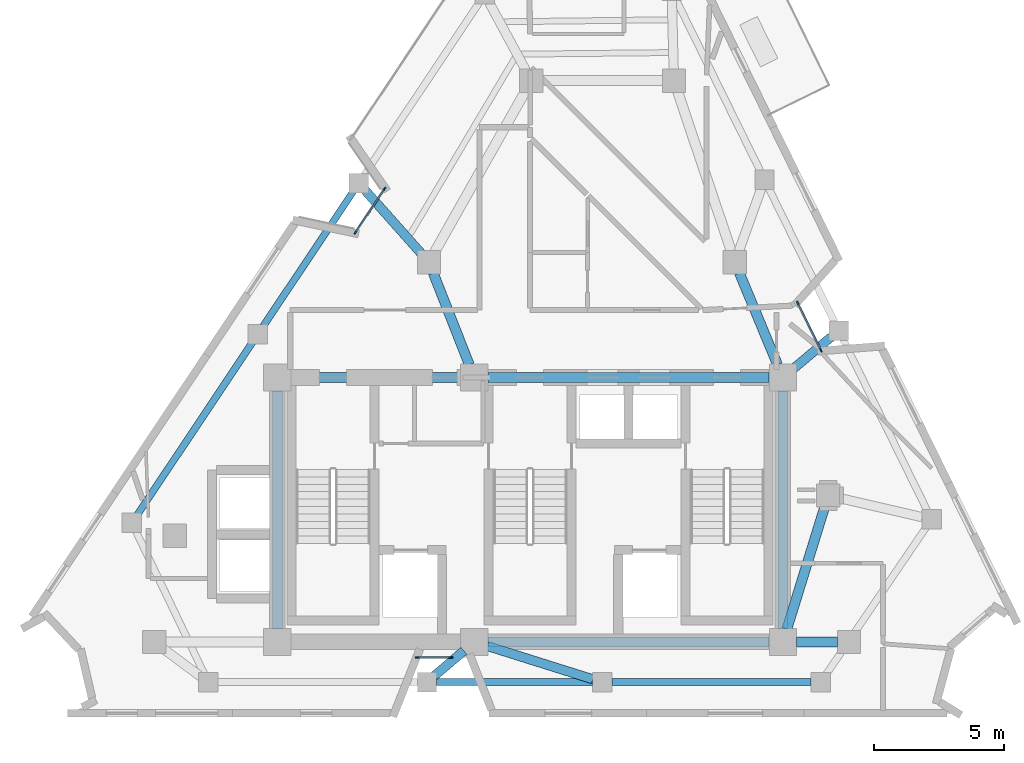
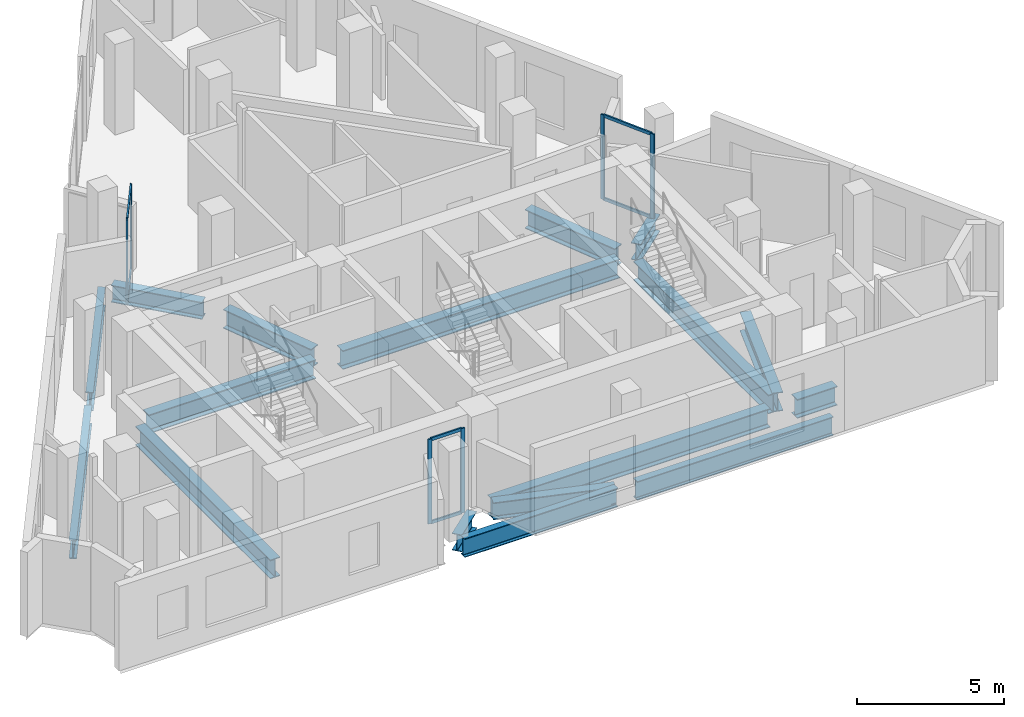
# One storey, part 2 of 8: 17 beams, 12 members, 3 elements without a shape of their own.
"""IFC4 building model written with IfcOpenShell, lengths in metres."""

from ifc_helpers import new_model, si_unit, direction, frame, origin, origin_2d, place, context, subcontext, project, spatial, rectangle, i_section, extrude, material, layer, layer_set, material_profile, profile_set, type_object, element, aggregate, save


model = new_model("IFC4")

# Units and contexts
model_context = context("Model", 3, precision=1e-05, world=origin(), true_north=direction((0.0, 1.0)))
body_context = subcontext(model_context, "Body", "Model", "MODEL_VIEW")
ifc_project = project(units=[si_unit("LENGTHUNIT", "METRE"), si_unit("AREAUNIT", "SQUARE_METRE"), si_unit("VOLUMEUNIT", "CUBIC_METRE"), si_unit("PLANEANGLEUNIT", "RADIAN"), si_unit("MASSUNIT", "GRAM", prefix="KILO")], contexts=[model_context])

# Site, building, storey
site_placement = place(None, origin())
site = spatial("IfcSite", under=ifc_project, at=site_placement, CompositionType="ELEMENT")
building_placement = place(site_placement, origin())
building = spatial("IfcBuilding", under=site, at=building_placement, Name="Almagre Mirador Tower", CompositionType="ELEMENT")
storey_placement = place(building_placement, frame((0.0, 0.0, 274.5)))
storey = spatial("IfcBuildingStorey", under=building, at=storey_placement, Name="L71", CompositionType="ELEMENT", Elevation=274.5)

# Beams
ifc_material_1 = material(Name="Steel ASTM A992 Grade 50", Category="steel")
ifc_material_profile_1 = material_profile(ifc_material_1, i_section(OverallWidth=0.26708984375, OverallDepth=0.779052734375, WebThickness=0.0166015625, FlangeThickness=0.030029296875, FilletRadius=0.02392578125, at=origin_2d()), Name="W30X148")
ifc_profile_set_1 = profile_set([ifc_material_profile_1], Name="Steel ASTM A992 Grade 50")
beam_type_1 = type_object("IfcBeamType", Name="BM-SPN-W30X148", PredefinedType="SPANDREL", material=ifc_profile_set_1)
beam_1_placement = place(storey_placement, frame((33.698974609375, 3.0, -0.639404296875), z_axis=(1.0, 0.0, 0.0), x_axis=(0.0, 1.0, 0.0)))
element("IfcBeam", 1, at=beam_1_placement, inside=storey, type_object=beam_type_1, Name="L71 perimeter spandrel beam PC02-PC03", PredefinedType="SPANDREL", context=body_context, shape_type="SweptSolid", body=[
    extrude(i_section(OverallWidth=0.26708984375, OverallDepth=0.779052734375, WebThickness=0.0166015625, FlangeThickness=0.030029296875, FilletRadius=0.02392578125, at=origin_2d()), origin(), (0.0, 0.0, 1.0), 6.001953125),
])
beam_2_placement = place(storey_placement, frame((40.450927734375, 3.0, -0.639404296875), z_axis=(1.0, 0.0, 0.0), x_axis=(0.0, 1.0, 0.0)))
element("IfcBeam", 2, at=beam_2_placement, inside=storey, type_object=beam_type_1, Name="L71 perimeter spandrel beam PC03-PC04", PredefinedType="SPANDREL", context=body_context, shape_type="SweptSolid", body=[
    extrude(i_section(OverallWidth=0.26708984375, OverallDepth=0.779052734375, WebThickness=0.0166015625, FlangeThickness=0.030029296875, FilletRadius=0.02392578125, at=origin_2d()), origin(), (0.0, 0.0, 1.0), 7.690185546875),
])
beam_3_placement = place(storey_placement, frame((30.48388671875, 21.93408203125, -0.639404296875), z_axis=(-0.555240722479, -0.831689689789, 0.0), x_axis=(0.831689689789, -0.555240722479, 0.0)))
element("IfcBeam", 3, at=beam_3_placement, inside=storey, type_object=beam_type_1, Name="L71 perimeter spandrel beam PC10-PC11", PredefinedType="SPANDREL", context=body_context, shape_type="SweptSolid", body=[
    extrude(i_section(OverallWidth=0.26708984375, OverallDepth=0.779052734375, WebThickness=0.0166015625, FlangeThickness=0.030029296875, FilletRadius=0.02392578125, at=origin_2d()), origin(), (0.0, 0.0, 1.0), 6.252685546875),
])
beam_4_placement = place(storey_placement, frame((26.595703125, 16.110107421875, -0.639404296875), z_axis=(-0.555228061938, -0.831698141898, 0.0), x_axis=(0.831698141898, -0.555228061938, 0.0)))
element("IfcBeam", 4, at=beam_4_placement, inside=storey, type_object=beam_type_1, Name="L71 perimeter spandrel beam PC11-PC12", PredefinedType="SPANDREL", context=body_context, shape_type="SweptSolid", body=[
    extrude(i_section(OverallWidth=0.26708984375, OverallDepth=0.779052734375, WebThickness=0.0166015625, FlangeThickness=0.030029296875, FilletRadius=0.02392578125, at=origin_2d()), origin(), (0.0, 0.0, 1.0), 8.003173828125),
])
ifc_material_2 = material(Name="Steel ASTM A992 Grade 50", Category="steel")
ifc_material_profile_2 = material_profile(ifc_material_2, i_section(OverallWidth=0.35791015625, OverallDepth=0.7060546875, WebThickness=0.018310546875, FlangeThickness=0.0302734375, FilletRadius=0.02197265625, at=origin_2d()), Name="W27X178")
ifc_profile_set_2 = profile_set([ifc_material_profile_2], Name="Steel ASTM A992 Grade 50")
beam_type_2 = type_object("IfcBeamType", Name="BM-STL-W27X178", PredefinedType="BEAM", material=ifc_profile_set_2)
beam_5_placement = place(storey_placement, frame((33.60986328125, 3.24267578125, -0.60302734375), z_axis=(0.762394394192, 0.647112654569, 0.0), x_axis=(-0.647112654569, 0.762394394192, 0.0)))
element("IfcBeam", 5, at=beam_5_placement, inside=storey, type_object=beam_type_2, Name="L71 radial floor girder PC02-CC2", PredefinedType="BEAM", context=body_context, shape_type="SweptSolid", body=[
    extrude(i_section(OverallWidth=0.35791015625, OverallDepth=0.7060546875, WebThickness=0.018310546875, FlangeThickness=0.0302734375, FilletRadius=0.02197265625, at=origin_2d()), origin(), (0.0, 0.0, 1.0), 1.4951171875),
])
beam_6_placement = place(storey_placement, frame((39.71826171875, 3.112548828125, -0.60302734375), z_axis=(-0.953895402065, 0.300139237553, 0.0), x_axis=(-0.300139237553, -0.953895402065, 0.0)))
element("IfcBeam", 6, at=beam_6_placement, inside=storey, type_object=beam_type_2, Name="L71 radial floor girder PC03-CC2", PredefinedType="BEAM", context=body_context, shape_type="SweptSolid", body=[
    extrude(i_section(OverallWidth=0.35791015625, OverallDepth=0.7060546875, WebThickness=0.018310546875, FlangeThickness=0.0302734375, FilletRadius=0.02197265625, at=origin_2d()), origin(), (0.0, 0.0, 1.0), 4.263916015625),
])
beam_7_placement = place(storey_placement, frame((48.917724609375, 16.31689453125, -0.60302734375), z_axis=(-0.766114512284, -0.642704095263, 0.0), x_axis=(0.642704095263, -0.766114512284, 0.0)))
element("IfcBeam", 7, at=beam_7_placement, inside=storey, type_object=beam_type_2, Name="L71 radial floor girder PC06-CC6", PredefinedType="BEAM", context=body_context, shape_type="SweptSolid", body=[
    extrude(i_section(OverallWidth=0.35791015625, OverallDepth=0.7060546875, WebThickness=0.018310546875, FlangeThickness=0.0302734375, FilletRadius=0.02197265625, at=origin_2d()), origin(), (0.0, 0.0, 1.0), 1.9130859375),
])
beam_8_placement = place(storey_placement, frame((30.941162109375, 21.9658203125, -0.60302734375), z_axis=(0.664433759144, -0.747347161438, 0.0), x_axis=(0.747347161438, 0.664433759144, 0.0)))
element("IfcBeam", 8, at=beam_8_placement, inside=storey, type_object=beam_type_2, Name="L71 radial floor girder PC10-MC8", PredefinedType="BEAM", context=body_context, shape_type="SweptSolid", body=[
    extrude(i_section(OverallWidth=0.35791015625, OverallDepth=0.7060546875, WebThickness=0.018310546875, FlangeThickness=0.0302734375, FilletRadius=0.02197265625, at=origin_2d()), origin(), (0.0, 0.0, 1.0), 3.250732421875),
])
ifc_material_3 = material(Name="Steel ASTM A992 Grade 50", Category="steel")
ifc_material_profile_3 = material_profile(ifc_material_3, i_section(OverallWidth=0.384033203125, OverallDepth=0.784912109375, WebThickness=0.019775390625, FlangeThickness=0.033447265625, FilletRadius=0.02392578125, at=origin_2d()), Name="W30X211")
ifc_profile_set_3 = profile_set([ifc_material_profile_3], Name="Steel ASTM A992 Grade 50")
beam_type_3 = type_object("IfcBeamType", Name="BM-STL-W30X211", PredefinedType="BEAM", material=ifc_profile_set_3)
beam_9_placement = place(storey_placement, frame((35.675048828125, 4.550048828125, -0.642578125), z_axis=(1.0, 0.0, 0.0), x_axis=(0.0, 1.0, 0.0)))
element("IfcBeam", 9, at=beam_9_placement, inside=storey, type_object=beam_type_3, Name="L71 core tie girder CC2-CC3", PredefinedType="BEAM", context=body_context, shape_type="SweptSolid", body=[
    extrude(i_section(OverallWidth=0.384033203125, OverallDepth=0.784912109375, WebThickness=0.019775390625, FlangeThickness=0.033447265625, FilletRadius=0.02392578125, at=origin_2d()), origin(), (0.0, 0.0, 1.0), 10.849853515625),
])
beam_10_placement = place(storey_placement, frame((28.074951171875, 14.75, -0.642578125), z_axis=(1.0, 0.0, 0.0), x_axis=(0.0, 1.0, 0.0)))
element("IfcBeam", 10, at=beam_10_placement, inside=storey, type_object=beam_type_3, Name="L71 core tie girder CC4-CC5", PredefinedType="BEAM", context=body_context, shape_type="SweptSolid", body=[
    extrude(i_section(OverallWidth=0.384033203125, OverallDepth=0.784912109375, WebThickness=0.019775390625, FlangeThickness=0.033447265625, FilletRadius=0.02392578125, at=origin_2d()), origin(), (0.0, 0.0, 1.0), 6.550048828125),
])
beam_11_placement = place(storey_placement, frame((35.675048828125, 14.75, -0.642578125), z_axis=(1.0, 0.0, 0.0), x_axis=(0.0, 1.0, 0.0)))
element("IfcBeam", 11, at=beam_11_placement, inside=storey, type_object=beam_type_3, Name="L71 core tie girder CC5-CC6", PredefinedType="BEAM", context=body_context, shape_type="SweptSolid", body=[
    extrude(i_section(OverallWidth=0.384033203125, OverallDepth=0.784912109375, WebThickness=0.019775390625, FlangeThickness=0.033447265625, FilletRadius=0.02392578125, at=origin_2d()), origin(), (0.0, 0.0, 1.0), 10.849853515625),
])
for number, where, z_axis, x_axis, name in (
    (12, (27.550048828125, 5.074951171875, -0.642578125), (0.0, 1.0, 0.0), (-1.0, 0.0, 0.0), "L71 core tie girder CC1-CC4"),
    (13, (47.050048828125, 5.074951171875, -0.642578125), (0.0, 1.0, 0.0), (-1.0, 0.0, 0.0), "L71 core tie girder CC3-CC6"),
):
    element("IfcBeam", number, at=place(storey_placement, frame(where, z_axis=z_axis, x_axis=x_axis)), inside=storey, type_object=beam_type_3, Name=name, PredefinedType="BEAM", context=body_context, shape_type="SweptSolid", body=[
        extrude(i_section(OverallWidth=0.384033203125, OverallDepth=0.784912109375, WebThickness=0.019775390625, FlangeThickness=0.033447265625, FilletRadius=0.02392578125, at=origin_2d()), origin(), (0.0, 0.0, 1.0), 9.150146484375),
    ])
beam_12_placement = place(storey_placement, frame((49.14990234375, 4.550048828125, -0.642578125), z_axis=(-1.0, 0.0, 0.0), x_axis=(0.0, -1.0, 0.0)))
element("IfcBeam", 14, at=beam_12_placement, inside=storey, type_object=beam_type_3, Name="L71 core tie girder MC2-CC3", PredefinedType="BEAM", context=body_context, shape_type="SweptSolid", body=[
    extrude(i_section(OverallWidth=0.384033203125, OverallDepth=0.784912109375, WebThickness=0.019775390625, FlangeThickness=0.033447265625, FilletRadius=0.02392578125, at=origin_2d()), origin(), (0.0, 0.0, 1.0), 1.574951171875),
])
beam_13_placement = place(storey_placement, frame((48.6669921875, 9.77001953125, -0.642578125), z_axis=(-0.295901717967, -0.955218390372, 0.0), x_axis=(0.955218390372, -0.295901717967, 0.0)))
element("IfcBeam", 15, at=beam_13_placement, inside=storey, type_object=beam_type_3, Name="L71 core tie girder MC3-CC3", PredefinedType="BEAM", context=body_context, shape_type="SweptSolid", body=[
    extrude(i_section(OverallWidth=0.384033203125, OverallDepth=0.784912109375, WebThickness=0.019775390625, FlangeThickness=0.033447265625, FilletRadius=0.02392578125, at=origin_2d()), origin(), (0.0, 0.0, 1.0), 4.939697265625),
])
beam_14_placement = place(storey_placement, frame((45.372802734375, 18.784423828125, -0.642578125), z_axis=(0.383862140668, -0.923390414159, 0.0), x_axis=(0.923390414159, 0.383862140668, 0.0)))
element("IfcBeam", 16, at=beam_14_placement, inside=storey, type_object=beam_type_3, Name="L71 core tie girder MC5-CC6", PredefinedType="BEAM", context=body_context, shape_type="SweptSolid", body=[
    extrude(i_section(OverallWidth=0.384033203125, OverallDepth=0.784912109375, WebThickness=0.019775390625, FlangeThickness=0.033447265625, FilletRadius=0.02392578125, at=origin_2d()), origin(), (0.0, 0.0, 1.0), 3.843994140625),
])
beam_15_placement = place(storey_placement, frame((33.564697265625, 18.78125, -0.642578125), z_axis=(0.365999579355, -0.93061501595, 0.0), x_axis=(0.93061501595, 0.365999579355, 0.0)))
element("IfcBeam", 17, at=beam_15_placement, inside=storey, type_object=beam_type_3, Name="L71 core tie girder MC8-CC5", PredefinedType="BEAM", context=body_context, shape_type="SweptSolid", body=[
    extrude(i_section(OverallWidth=0.384033203125, OverallDepth=0.784912109375, WebThickness=0.019775390625, FlangeThickness=0.033447265625, FilletRadius=0.02392578125, at=origin_2d()), origin(), (0.0, 0.0, 1.0), 3.806884765625),
])

# Curtain wall, members
ifc_material_4 = material(Name="Black anodized aluminium", Category="aluminium")
ifc_layer = layer(ifc_material_4, 0.169921875)
ifc_layer_set = layer_set([ifc_layer], Name="Black anodized aluminium")
curtain_wall_type = type_object("IfcCurtainWallType", Name="CW-CRS-SYS", PredefinedType="NOTDEFINED", material=ifc_layer_set)
curtain_wall_1_placement = place(storey_placement, origin())
curtain_wall_1 = element("IfcCurtainWall", 18, at=curtain_wall_1_placement, inside=storey, type_object=curtain_wall_type, Name="L71 vertical crease curtain wall 01", PredefinedType="NOTDEFINED")
ifc_material_5 = material(Name="Black anodized aluminium", Category="aluminium")
ifc_material_profile_4 = material_profile(ifc_material_5, rectangle(XDim=0.06005859375, YDim=0.14990234375, at=origin_2d()), Name="CWM60X150")
ifc_profile_set_4 = profile_set([ifc_material_profile_4], Name="Black anodized aluminium")
member_type_1 = type_object("IfcMemberType", Name="MBR-CWM60X150", PredefinedType="MULLION", material=ifc_profile_set_4)
member_1_placement = place(storey_placement, frame((30.563720703125, 20.342041015625, 0.0), z_axis=(0.0, 0.0, 1.0), x_axis=(-0.831755672093, 0.555141875507, 0.0)))
member_1 = element("IfcMember", 19, at=member_1_placement, type_object=member_type_1, Name="CW-4 mullion 1", PredefinedType="MULLION", context=body_context, shape_type="SweptSolid", body=[
    extrude(rectangle(XDim=0.06005859375, YDim=0.14990234375, at=origin_2d()), origin(), (0.0, 0.0, 1.0), 3.5),
])
member_2_placement = place(storey_placement, frame((31.6904296875, 22.030029296875, 0.0), z_axis=(0.0, 0.0, 1.0), x_axis=(-0.831755672093, 0.555141875507, 0.0)))
member_2 = element("IfcMember", 20, at=member_2_placement, type_object=member_type_1, Name="CW-4 mullion 2", PredefinedType="MULLION", context=body_context, shape_type="SweptSolid", body=[
    extrude(rectangle(XDim=0.06005859375, YDim=0.14990234375, at=origin_2d()), origin(), (0.0, 0.0, 1.0), 3.5),
])

curtain_wall_2_placement = place(storey_placement, origin())
curtain_wall_2 = element("IfcCurtainWall", 21, at=curtain_wall_2_placement, inside=storey, type_object=curtain_wall_type, Name="L71 vertical crease curtain wall 03", PredefinedType="NOTDEFINED")
member_3_placement = place(storey_placement, frame((47.622314453125, 17.6240234375, 0.0), z_axis=(0.0, 0.0, 1.0), x_axis=(0.897374821647, 0.441269112304, 0.0)))
member_3 = element("IfcMember", 22, at=member_3_placement, type_object=member_type_1, Name="CW-4 mullion 1", PredefinedType="MULLION", context=body_context, shape_type="SweptSolid", body=[
    extrude(rectangle(XDim=0.06005859375, YDim=0.14990234375, at=origin_2d()), origin(), (0.0, 0.0, 1.0), 3.5),
])
member_4_placement = place(storey_placement, frame((48.517822265625, 15.802978515625, 0.0), z_axis=(0.0, 0.0, 1.0), x_axis=(0.897374821647, 0.441269112304, 0.0)))
member_4 = element("IfcMember", 23, at=member_4_placement, type_object=member_type_1, Name="CW-4 mullion 2", PredefinedType="MULLION", context=body_context, shape_type="SweptSolid", body=[
    extrude(rectangle(XDim=0.06005859375, YDim=0.14990234375, at=origin_2d()), origin(), (0.0, 0.0, 1.0), 3.5),
])

curtain_wall_3_placement = place(storey_placement, origin())
curtain_wall_3 = element("IfcCurtainWall", 24, at=curtain_wall_3_placement, inside=storey, type_object=curtain_wall_type, Name="L71 vertical crease curtain wall 04", PredefinedType="NOTDEFINED")
member_5_placement = place(storey_placement, frame((34.235107421875, 3.949951171875, 0.0), z_axis=(0.0, 0.0, 1.0), x_axis=(0.0, -1.0, 0.0)))
member_5 = element("IfcMember", 25, at=member_5_placement, type_object=member_type_1, Name="CW-4 mullion 1", PredefinedType="MULLION", context=body_context, shape_type="SweptSolid", body=[
    extrude(rectangle(XDim=0.06005859375, YDim=0.14990234375, at=origin_2d()), origin(), (0.0, 0.0, 1.0), 3.5),
])
member_6_placement = place(storey_placement, frame((32.948974609375, 3.949951171875, 0.0), z_axis=(0.0, 0.0, 1.0), x_axis=(0.0, -1.0, 0.0)))
member_6 = element("IfcMember", 26, at=member_6_placement, type_object=member_type_1, Name="CW-4 mullion 2", PredefinedType="MULLION", context=body_context, shape_type="SweptSolid", body=[
    extrude(rectangle(XDim=0.06005859375, YDim=0.14990234375, at=origin_2d()), origin(), (0.0, 0.0, 1.0), 3.5),
])

# Member
ifc_material_6 = material(Name="Black anodized aluminium", Category="aluminium")
ifc_material_profile_5 = material_profile(ifc_material_6, rectangle(XDim=0.06005859375, YDim=0.1298828125, at=origin_2d()), Name="CWT60X130")
ifc_profile_set_5 = profile_set([ifc_material_profile_5], Name="Black anodized aluminium")
member_type_2 = type_object("IfcMemberType", Name="MBR-CWT60X130", PredefinedType="USERDEFINED", material=ifc_profile_set_5)
member_7_placement = place(storey_placement, frame((30.580322265625, 20.366943359375, 0.030029296875), z_axis=(0.55510062371, 0.831783203459, 0.0), x_axis=(-0.831783203459, 0.55510062371, 0.0)))
member_7 = element("IfcMember", 27, at=member_7_placement, type_object=member_type_2, Name="CW-4 transom 1.1", ObjectType="TRANSOM", PredefinedType="USERDEFINED", context=body_context, shape_type="SweptSolid", body=[
    extrude(rectangle(XDim=0.06005859375, YDim=0.1298828125, at=origin_2d()), origin(), (0.0, 0.0, 1.0), 1.969482421875),
])

member_8_placement = place(storey_placement, frame((30.580322265625, 20.366943359375, 3.469970703125), z_axis=(0.55510062371, 0.831783203459, 0.0), x_axis=(-0.831783203459, 0.55510062371, 0.0)))
member_8 = element("IfcMember", 28, at=member_8_placement, type_object=member_type_2, Name="CW-4 transom 1.2", ObjectType="TRANSOM", PredefinedType="USERDEFINED", context=body_context, shape_type="SweptSolid", body=[
    extrude(rectangle(XDim=0.06005859375, YDim=0.1298828125, at=origin_2d()), origin(), (0.0, 0.0, 1.0), 1.969482421875),
])

aggregate(curtain_wall_1, [member_1, member_2, member_7, member_8])

member_9_placement = place(storey_placement, frame((47.635498046875, 17.59716796875, 0.030029296875), z_axis=(0.441303291714, -0.897358013684, 0.0), x_axis=(0.897358013684, 0.441303291714, 0.0)))
member_9 = element("IfcMember", 29, at=member_9_placement, type_object=member_type_2, Name="CW-4 transom 1.1", ObjectType="TRANSOM", PredefinedType="USERDEFINED", context=body_context, shape_type="SweptSolid", body=[
    extrude(rectangle(XDim=0.06005859375, YDim=0.1298828125, at=origin_2d()), origin(), (0.0, 0.0, 1.0), 1.969482421875),
])

member_10_placement = place(storey_placement, frame((47.635498046875, 17.59716796875, 3.469970703125), z_axis=(0.441303291714, -0.897358013684, 0.0), x_axis=(0.897358013684, 0.441303291714, 0.0)))
member_10 = element("IfcMember", 30, at=member_10_placement, type_object=member_type_2, Name="CW-4 transom 1.2", ObjectType="TRANSOM", PredefinedType="USERDEFINED", context=body_context, shape_type="SweptSolid", body=[
    extrude(rectangle(XDim=0.06005859375, YDim=0.1298828125, at=origin_2d()), origin(), (0.0, 0.0, 1.0), 1.969482421875),
])

aggregate(curtain_wall_2, [member_3, member_4, member_9, member_10])

member_11_placement = place(storey_placement, frame((34.205078125, 3.949951171875, 0.030029296875), z_axis=(-1.0, 0.0, 0.0), x_axis=(0.0, -1.0, 0.0)))
member_11 = element("IfcMember", 31, at=member_11_placement, type_object=member_type_2, Name="CW-4 transom 1.1", ObjectType="TRANSOM", PredefinedType="USERDEFINED", context=body_context, shape_type="SweptSolid", body=[
    extrude(rectangle(XDim=0.06005859375, YDim=0.1298828125, at=origin_2d()), origin(), (0.0, 0.0, 1.0), 1.22607421875),
])

member_12_placement = place(storey_placement, frame((34.205078125, 3.949951171875, 3.469970703125), z_axis=(-1.0, 0.0, 0.0), x_axis=(0.0, -1.0, 0.0)))
member_12 = element("IfcMember", 32, at=member_12_placement, type_object=member_type_2, Name="CW-4 transom 1.2", ObjectType="TRANSOM", PredefinedType="USERDEFINED", context=body_context, shape_type="SweptSolid", body=[
    extrude(rectangle(XDim=0.06005859375, YDim=0.1298828125, at=origin_2d()), origin(), (0.0, 0.0, 1.0), 1.22607421875),
])

aggregate(curtain_wall_3, [member_5, member_6, member_11, member_12])

save(model, "model.ifc")
